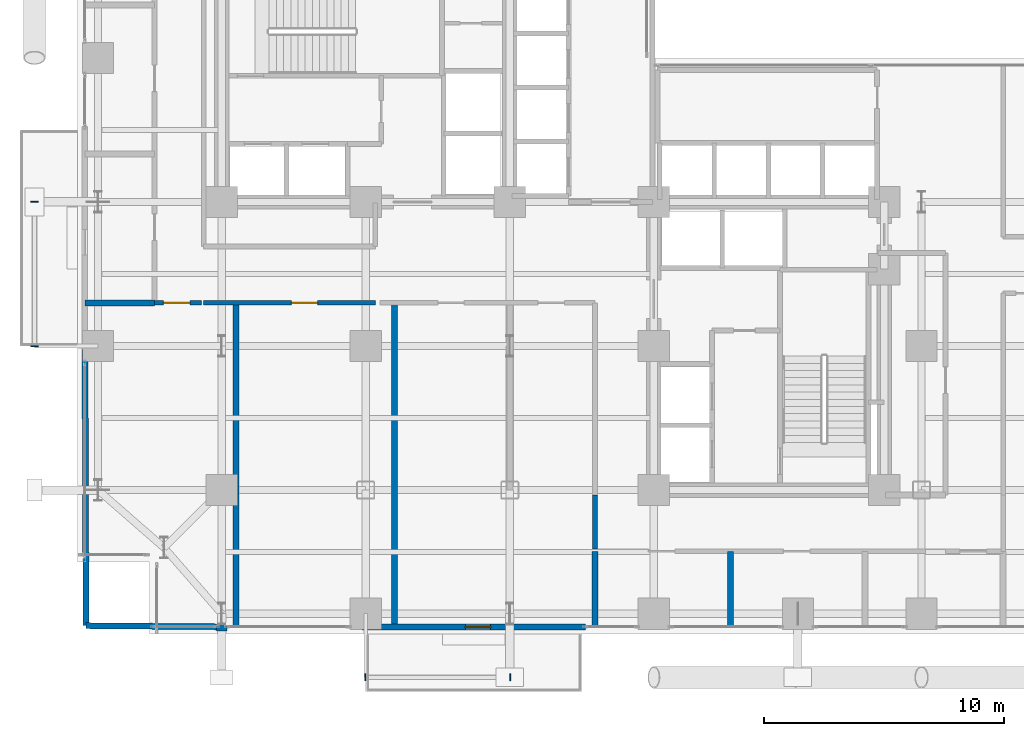
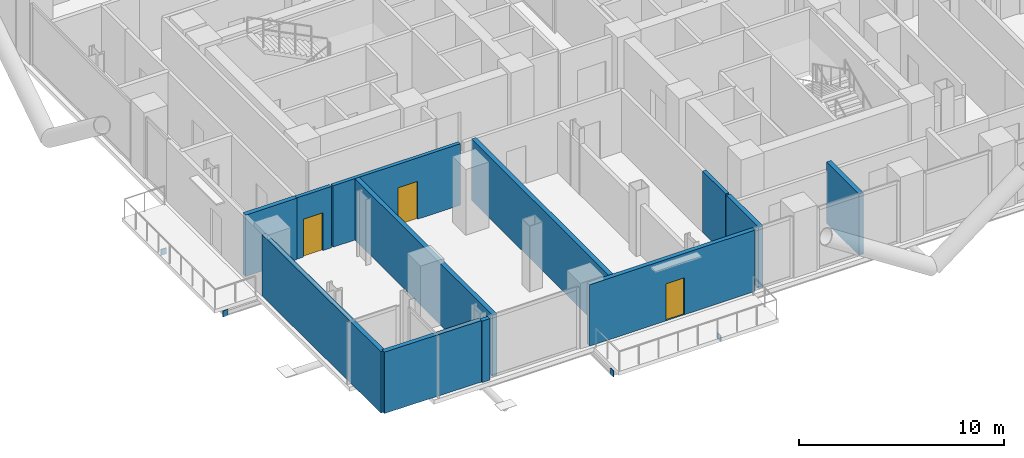
# One storey, part 19 of 25: 12 walls, 4 plates, 3 doors, 3 openings.
"""IFC4 building model written with IfcOpenShell, lengths in metres."""

from ifc_helpers import new_model, si_unit, direction, frame, frame_2d, origin, origin_2d, place, context, subcontext, project, spatial, rectangle, extrude, material, layer, layer_set, type_object, element, fill, save


model = new_model("IFC4")

# Units and contexts
model_context = context("Model", 3, precision=1e-05, world=origin(), true_north=direction((0.0, 1.0)))
body_context = subcontext(model_context, "Body", "Model", "MODEL_VIEW")
ifc_project = project(units=[si_unit("LENGTHUNIT", "METRE"), si_unit("AREAUNIT", "SQUARE_METRE"), si_unit("VOLUMEUNIT", "CUBIC_METRE"), si_unit("PLANEANGLEUNIT", "RADIAN"), si_unit("MASSUNIT", "GRAM", prefix="KILO"), si_unit("THERMODYNAMICTEMPERATUREUNIT", "KELVIN"), si_unit("POWERUNIT", "WATT")], contexts=[model_context])

# Site, building, storey
site_placement = place(None, origin())
site = spatial("IfcSite", under=ifc_project, at=site_placement, CompositionType="ELEMENT")
building_placement = place(site_placement, origin())
building = spatial("IfcBuilding", under=site, at=building_placement, Name="Svarakhadi Broadcast Tower", CompositionType="ELEMENT")
storey_placement = place(building_placement, frame((0.0, 0.0, 79.199951171875)))
storey = spatial("IfcBuildingStorey", under=building, at=storey_placement, Name="L18", CompositionType="ELEMENT", Elevation=79.199951171875)

# Plates
ifc_material_1 = material(Name="Steel S460ML (IS 2062 E450BR)", Category="steel")
ifc_layer_1 = layer(ifc_material_1, 0.028076171875)
ifc_layer_set_1 = layer_set([ifc_layer_1], Name="Steel S460ML (IS 2062 E450BR)")
plate_type = type_object("IfcPlateType", Name="Cap_Plate_CP02", PredefinedType="USERDEFINED", material=ifc_layer_set_1)
for number, where, z_axis, x_axis, name in (
    (1, (11.985107421875, -1.800048828125, -0.580078125), (0.0, 0.0, 1.0), (1.0, 0.0, 0.0), "L18 Balcony Spandrel End Cap Plate 1F-A"),
    (2, (18.014892578125, -1.800048828125, -0.580078125), (0.0, 0.0, 1.0), (1.0, 0.0, 0.0), "L18 Balcony Spandrel End Cap Plate 1F-B"),
):
    element("IfcPlate", number, at=place(storey_placement, frame(where, z_axis=z_axis, x_axis=x_axis)), inside=storey, type_object=plate_type, Name=name, ObjectType="FLANGE_PLATE", PredefinedType="USERDEFINED", context=body_context, shape_type="SweptSolid", body=[
        extrude(rectangle(XDim=0.0400390625, YDim=0.300048828125, at=origin_2d()), origin(), (0.0, 0.0, 1.0), 0.360107421875),
    ])
for number, where, z_axis, x_axis, name in (
    (3, (-1.800048828125, 11.985107421875, -0.580078125), (0.0, 0.0, 1.0), (1.0, 0.0, 0.0), "L18 Balcony Spandrel End Cap Plate 2F-A"),
    (4, (-1.800048828125, 18.014892578125, -0.580078125), (0.0, 0.0, 1.0), (1.0, 0.0, 0.0), "L18 Balcony Spandrel End Cap Plate 2F-B"),
):
    element("IfcPlate", number, at=place(storey_placement, frame(where, z_axis=z_axis, x_axis=x_axis)), inside=storey, type_object=plate_type, Name=name, ObjectType="FLANGE_PLATE", PredefinedType="USERDEFINED", context=body_context, shape_type="SweptSolid", body=[
        extrude(rectangle(XDim=0.300048828125, YDim=0.0400390625, at=origin_2d()), origin(), (0.0, 0.0, 1.0), 0.360107421875),
    ])

# Wall
ifc_material_2 = material(Name="Double-Stud Acoustic Studio Partition STC-62", Category="gypsum")
ifc_layer_2 = layer(ifc_material_2, 0.199951171875)
ifc_layer_set_2 = layer_set([ifc_layer_2], Name="Double-Stud Acoustic Studio Partition STC-62")
wall_type_1 = type_object("IfcWallType", Name="Wall_Acoust_200", PredefinedType="PARTITIONING", material=ifc_layer_set_2)
wall_1_placement = place(storey_placement, frame((21.550048828125, 3.550048828125, 0.0), z_axis=(0.0, 0.0, 1.0), x_axis=(0.0, 1.0, 0.0)))
element("IfcWall", 5, at=wall_1_placement, inside=storey, type_object=wall_type_1, Name="L18 Broadcast Corridor Wall", PredefinedType="PARTITIONING", context=body_context, shape_type="SweptSolid", body=[
    extrude(rectangle(XDim=2.25, YDim=0.199951171875, at=frame_2d((1.125, 0.0))), origin(), (0.0, 0.0, 1.0), 3.650146484375),
])

# Wall, opening, door
wall_2_placement = place(storey_placement, frame((12.39990234375, 13.800048828125, 0.0), z_axis=(0.0, 0.0, 1.0), x_axis=(-1.0, 0.0, 0.0)))
wall_2 = element("IfcWall", 6, at=wall_2_placement, inside=storey, type_object=wall_type_1, Name="L18 Broadcast Corridor Wall", PredefinedType="PARTITIONING", context=body_context, shape_type="SweptSolid", body=[
    extrude(rectangle(XDim=7.14990234375, YDim=0.199951171875, at=frame_2d((3.574951171875, 0.0))), origin(), (0.0, 0.0, 1.0), 3.650146484375),
])
opening_1_placement = place(wall_2_placement, frame((2.39990234375, 0.0, 0.0)))
opening_1 = element("IfcOpeningElement", 7, at=opening_1_placement, cuts=wall_2, Name="Opening D-11", PredefinedType="OPENING", context=body_context, shape_type="SweptSolid", body=[
    extrude(rectangle(XDim=1.10009765625, YDim=2.25, at=frame_2d((0.550048828125, 1.125))), frame((0.0, 0.10986328125, 0.0), z_axis=(0.0, -1.0, 0.0), x_axis=(1.0, 0.0, 0.0)), (0.0, 0.0, 1.0), 0.219970703125),
])
ifc_material_3 = material(Name="Solid-Core Teak Veneer Acoustic Timber Leaf", Category="wood")
door_type_1 = type_object("IfcDoorType", Name="Door_Acoust_D11", OperationType="SINGLE_SWING_RIGHT", PredefinedType="DOOR", material=ifc_material_3)
door_1_placement = place(opening_1_placement, origin())
door_1 = element("IfcDoor", 8, at=door_1_placement, inside=storey, type_object=door_type_1, Name="L18 Social Media Command Room Door", OperationType="SINGLE_SWING_RIGHT", OverallHeight=2.25, OverallWidth=1.10009765625, PredefinedType="DOOR", context=body_context, shape_type="SweptSolid", body=[
    extrude(rectangle(XDim=1.10009765625, YDim=2.25, at=frame_2d((0.550048828125, 1.125))), frame((0.0, 0.02490234375, 0.0), z_axis=(0.0, -1.0, 0.0), x_axis=(1.0, 0.0, 0.0)), (0.0, 0.0, 1.0), 0.050048828125),
])
fill(opening_1, door_1)

wall_3_placement = place(storey_placement, frame((5.14990234375, 13.800048828125, 0.0), z_axis=(0.0, 0.0, 1.0), x_axis=(-1.0, 0.0, 0.0)))
wall_3 = element("IfcWall", 9, at=wall_3_placement, inside=storey, type_object=wall_type_1, Name="L18 Broadcast Corridor Wall", PredefinedType="PARTITIONING", context=body_context, shape_type="SweptSolid", body=[
    extrude(rectangle(XDim=1.949951171875, YDim=0.199951171875, at=frame_2d((0.97509765625, 0.0))), origin(), (0.0, 0.0, 1.0), 3.650146484375),
])
opening_2_placement = place(wall_3_placement, frame((0.47509765625, 0.0, 0.0)))
opening_2 = element("IfcOpeningElement", 10, at=opening_2_placement, cuts=wall_3, Name="Opening D-10", PredefinedType="OPENING", context=body_context, shape_type="SweptSolid", body=[
    extrude(rectangle(XDim=1.10009765625, YDim=2.25, at=frame_2d((0.550048828125, 1.125))), frame((0.0, 0.10986328125, 0.0), z_axis=(0.0, -1.0, 0.0), x_axis=(1.0, 0.0, 0.0)), (0.0, 0.0, 1.0), 0.219970703125),
])
door_type_2 = type_object("IfcDoorType", Name="Door_Acoust_D10", OperationType="SINGLE_SWING_LEFT", PredefinedType="DOOR", material=ifc_material_3)
door_2_placement = place(opening_2_placement, origin())
door_2 = element("IfcDoor", 11, at=door_2_placement, inside=storey, type_object=door_type_2, Name="L18 Digital Streaming Studio Door", OperationType="SINGLE_SWING_LEFT", OverallHeight=2.25, OverallWidth=1.10009765625, PredefinedType="DOOR", context=body_context, shape_type="SweptSolid", body=[
    extrude(rectangle(XDim=1.10009765625, YDim=2.25, at=frame_2d((0.550048828125, 1.125))), frame((0.0, 0.02490234375, 0.0), z_axis=(0.0, -1.0, 0.0), x_axis=(1.0, 0.0, 0.0)), (0.0, 0.0, 1.0), 0.050048828125),
])
fill(opening_2, door_2)

# Walls
ifc_layer_3 = layer(ifc_material_2, 0.25)
ifc_layer_set_3 = layer_set([ifc_layer_3], Name="Double-Stud Acoustic Studio Partition STC-62")
wall_type_2 = type_object("IfcWallType", Name="Wall_Acoust_250", PredefinedType="PARTITIONING", material=ifc_layer_set_3)
wall_4_placement = place(storey_placement, frame((0.35009765625, 0.35009765625, 0.0), z_axis=(0.0, 0.0, 1.0), x_axis=(0.99996767298, -0.008040708569, 0.0)))
element("IfcWall", 12, at=wall_4_placement, inside=storey, type_object=wall_type_2, Name="L18 Digital Streaming Studio Wall", PredefinedType="PARTITIONING", context=body_context, shape_type="SweptSolid", body=[
    extrude(rectangle(XDim=5.43505859375, YDim=0.25, at=frame_2d((2.717529296875, 0.0))), origin(), (0.0, 0.0, 1.0), 3.650146484375),
])
wall_5_placement = place(storey_placement, frame((0.35009765625, 0.35009765625, 0.0), z_axis=(0.0, 0.0, 1.0), x_axis=(-0.003734801216, 0.999993025606, 0.0)))
element("IfcWall", 13, at=wall_5_placement, inside=storey, type_object=wall_type_2, Name="L18 Digital Streaming Studio Wall", PredefinedType="PARTITIONING", context=body_context, shape_type="SweptSolid", body=[
    extrude(rectangle(XDim=11.5048828125, YDim=0.25, at=frame_2d((5.75244140625, 0.0))), origin(), (0.0, 0.0, 1.0), 3.650146484375),
])
for number, where, z_axis, x_axis, name in (
    (14, (6.60009765625, 0.300048828125, 0.0), (0.0, 0.0, 1.0), (0.0, 1.0, 0.0), "L18 Digital Streaming Studio Wall"),
    (15, (13.199951171875, 0.300048828125, 0.0), (0.0, 0.0, 1.0), (0.0, 1.0, 0.0), "L18 Social Media Command Room Wall"),
):
    element("IfcWall", number, at=place(storey_placement, frame(where, z_axis=z_axis, x_axis=x_axis)), inside=storey, type_object=wall_type_2, Name=name, PredefinedType="PARTITIONING", context=body_context, shape_type="SweptSolid", body=[
        extrude(rectangle(XDim=13.5, YDim=0.25, at=frame_2d((6.75, 0.0))), origin(), (0.0, 0.0, 1.0), 3.650146484375),
    ])
wall_6_placement = place(storey_placement, frame((0.300048828125, 13.800048828125, 0.0), z_axis=(0.0, 0.0, 1.0), x_axis=(1.0, 0.0, 0.0)))
element("IfcWall", 16, at=wall_6_placement, inside=storey, type_object=wall_type_2, Name="L18 Arabian Sea Commentary Booth Wall", PredefinedType="PARTITIONING", context=body_context, shape_type="SweptSolid", body=[
    extrude(rectangle(XDim=2.89990234375, YDim=0.25, at=frame_2d((1.449951171875, 0.0))), origin(), (0.0, 0.0, 1.0), 3.650146484375),
])
for number, where, z_axis, x_axis, name in (
    (17, (21.550048828125, 0.300048828125, 0.0), (0.0, 0.0, 1.0), (0.0, 1.0, 0.0), "L18 South Harbour Editorial Desk Wall"),
    (18, (27.199951171875, 0.300048828125, 0.0), (0.0, 0.0, 1.0), (0.0, 1.0, 0.0), "L18 South Harbour Editorial Desk Wall"),
):
    element("IfcWall", number, at=place(storey_placement, frame(where, z_axis=z_axis, x_axis=x_axis)), inside=storey, type_object=wall_type_2, Name=name, PredefinedType="PARTITIONING", context=body_context, shape_type="SweptSolid", body=[
        extrude(rectangle(XDim=3.14990234375, YDim=0.25, at=frame_2d((1.574951171875, 0.0))), origin(), (0.0, 0.0, 1.0), 3.650146484375),
    ])

# Wall, opening, door
ifc_material_4 = material(Name="Concrete C40/50 (IS 456 M50)", Category="concrete")
ifc_layer_4 = layer(ifc_material_4, 0.239990234375)
ifc_layer_set_4 = layer_set([ifc_layer_4], Name="Concrete C40/50 (IS 456 M50)")
wall_type_3 = type_object("IfcWallType", Name="Wall_Ext_240", PredefinedType="SOLIDWALL", material=ifc_layer_set_4)
wall_7_placement = place(storey_placement, frame((21.14501953125, 0.300048828125, 0.0), z_axis=(0.0, 0.0, 1.0), x_axis=(-1.0, 0.0, 0.0)))
wall_7 = element("IfcWall", 19, at=wall_7_placement, inside=storey, type_object=wall_type_3, Name="L18 South Tree Balcony Spandrel Wall", PredefinedType="SOLIDWALL", context=body_context, shape_type="SweptSolid", body=[
    extrude(rectangle(XDim=9.2900390625, YDim=0.239990234375, at=frame_2d((4.64501953125, 0.0))), origin(), (0.0, 0.0, 1.0), 3.650146484375),
])
opening_3_placement = place(wall_7_placement, frame((3.945068359375, 0.0, 0.0)))
opening_3 = element("IfcOpeningElement", 20, at=opening_3_placement, cuts=wall_7, Name="Opening ED-06", PredefinedType="OPENING", context=body_context, shape_type="SweptSolid", body=[
    extrude(rectangle(XDim=1.050048828125, YDim=2.199951171875, at=frame_2d((0.52490234375, 1.10009765625))), frame((0.0, 0.1298828125, 0.0), z_axis=(0.0, -1.0, 0.0), x_axis=(1.0, 0.0, 0.0)), (0.0, 0.0, 1.0), 0.260009765625),
])
ifc_material_5 = material(Name="Anodised Bronze Aluminium AA 6063-T6", Category="aluminium")
door_type_3 = type_object("IfcDoorType", Name="Door_Ext_ED06", OperationType="SINGLE_SWING_RIGHT", PredefinedType="DOOR", material=ifc_material_5)
door_3_placement = place(opening_3_placement, origin())
door_3 = element("IfcDoor", 21, at=door_3_placement, inside=storey, type_object=door_type_3, Name="L18 South Tree Balcony Door", OperationType="SINGLE_SWING_RIGHT", OverallHeight=2.199951171875, OverallWidth=1.050048828125, PredefinedType="DOOR", context=body_context, shape_type="SweptSolid", body=[
    extrude(rectangle(XDim=1.050048828125, YDim=2.199951171875, at=frame_2d((0.52490234375, 1.10009765625))), frame((0.0, 0.02490234375, 0.0), z_axis=(0.0, -1.0, 0.0), x_axis=(1.0, 0.0, 0.0)), (0.0, 0.0, 1.0), 0.050048828125),
])
fill(opening_3, door_3)

# Wall
wall_8_placement = place(storey_placement, frame((6.215087890625, 0.239990234375, 0.0), z_axis=(0.0, 0.0, 1.0), x_axis=(-1.0, 0.0, 0.0)))
element("IfcWall", 22, at=wall_8_placement, inside=storey, type_object=wall_type_3, Name="L18 Perimeter Bronze Spandrel Closure Wall 06", PredefinedType="SOLIDWALL", context=body_context, shape_type="SweptSolid", body=[
    extrude(rectangle(XDim=0.43017578125, YDim=0.239990234375, at=frame_2d((0.215087890625, 0.0))), origin(), (0.0, 0.0, 1.0), 3.650146484375),
])

save(model, "model.ifc")
